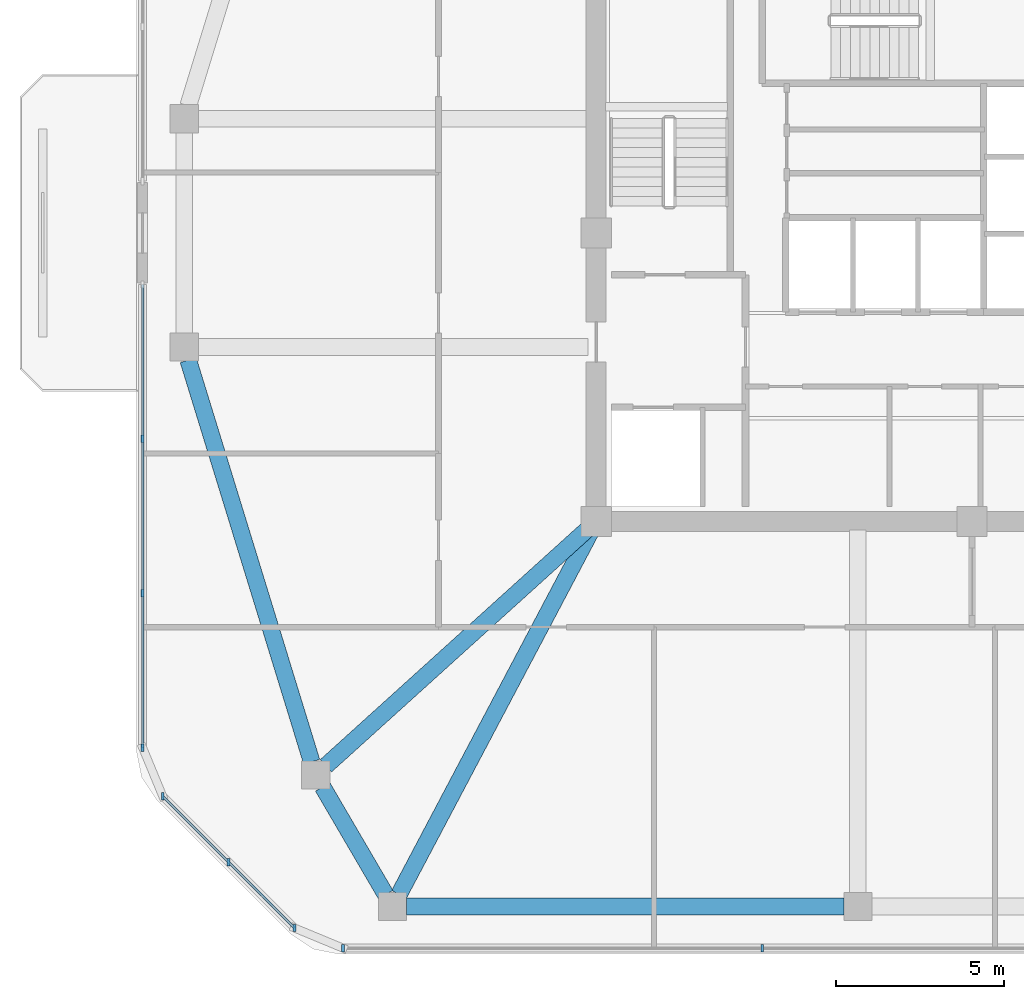
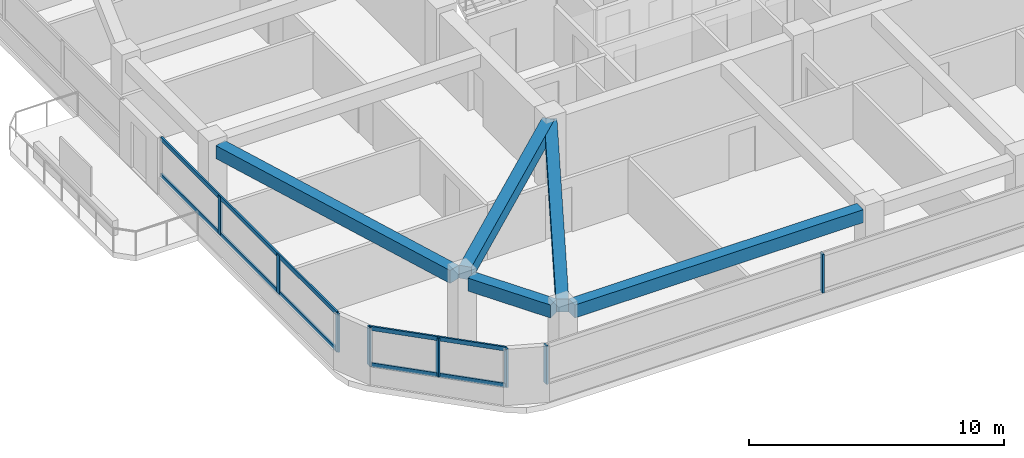
# One storey, part 2 of 14: 12 members, 5 beams, 3 elements without a shape of their own.
"""IFC4 building model written with IfcOpenShell, lengths in metres."""

from ifc_helpers import new_model, si_unit, derived_unit, direction, frame, origin, origin_2d, place, context, subcontext, project, spatial, rectangle, extrude, material, material_profile, profile_set, type_object, element, aggregate, save


model = new_model("IFC4")

# Units and contexts
model_context = context("Model", 3, precision=1e-05, world=origin(), true_north=direction((0.0, 1.0)))
body_context = subcontext(model_context, "Body", "Model", "MODEL_VIEW")
ifc_project = project(units=[si_unit("LENGTHUNIT", "METRE"), si_unit("AREAUNIT", "SQUARE_METRE"), si_unit("VOLUMEUNIT", "CUBIC_METRE"), si_unit("PLANEANGLEUNIT", "RADIAN"), si_unit("MASSUNIT", "GRAM", prefix="KILO"), derived_unit("THERMALTRANSMITTANCEUNIT", [(si_unit("POWERUNIT", "WATT"), 1), (si_unit("LENGTHUNIT", "METRE"), -2), (si_unit("THERMODYNAMICTEMPERATUREUNIT", "KELVIN"), -1)])], contexts=[model_context])

# Site, building, storey
site_placement = place(None, origin())
site = spatial("IfcSite", under=ifc_project, at=site_placement, CompositionType="ELEMENT")
building_placement = place(site_placement, origin())
building = spatial("IfcBuilding", under=site, at=building_placement, Name="Koralith Skygarden Medical Center", CompositionType="ELEMENT")
storey_placement = place(building_placement, frame((0.0, 0.0, 242.820068359375)))
storey = spatial("IfcBuildingStorey", under=building, at=storey_placement, Name="L62", CompositionType="ELEMENT", Elevation=242.820068359375)

# Curtain wall, members
ifc_material_1 = material(Name="Clear Laminated Glass", Category="glass")
curtain_wall_type = type_object("IfcCurtainWallType", Name="CW-6 Zone 5 Upper Clinical Curtain Wall", PredefinedType="NOTDEFINED", material=ifc_material_1)
curtain_wall_1_placement = place(storey_placement, origin())
curtain_wall_1 = element("IfcCurtainWall", 1, at=curtain_wall_1_placement, inside=storey, type_object=curtain_wall_type, Name="Curtain Wall CW-L62-S", PredefinedType="NOTDEFINED")
ifc_material_2 = material(Name="Aluminium 6063-T6", Category="aluminium")
ifc_material_profile_1 = material_profile(ifc_material_2, rectangle(XDim=0.0830078125, YDim=0.219970703125, at=origin_2d()), Name="MUL83X220")
ifc_profile_set_1 = profile_set([ifc_material_profile_1], Name="Aluminium 6063-T6")
member_type_1 = type_object("IfcMemberType", Name="CW-6 Extruded Mullion 83x220", PredefinedType="MULLION", material=ifc_profile_set_1)
member_1_placement = place(storey_placement, frame((18.2548828125, 4.580078125, 0.849853515625), z_axis=(0.0, 0.0, 1.0), x_axis=(1.0, 0.0, 0.0)))
member_1 = element("IfcMember", 2, at=member_1_placement, type_object=member_type_1, Name="CW-L62-S Mullion 1", PredefinedType="MULLION", context=body_context, shape_type="SweptSolid", body=[
    extrude(rectangle(XDim=0.0830078125, YDim=0.219970703125, at=origin_2d()), origin(), (0.0, 0.0, 1.0), 1.840087890625),
])
member_2_placement = place(storey_placement, frame((30.751953125, 4.580078125, 0.849853515625), z_axis=(0.0, 0.0, 1.0), x_axis=(1.0, 0.0, 0.0)))
member_2 = element("IfcMember", 3, at=member_2_placement, type_object=member_type_1, Name="CW-L62-S Mullion 2", PredefinedType="MULLION", context=body_context, shape_type="SweptSolid", body=[
    extrude(rectangle(XDim=0.0830078125, YDim=0.219970703125, at=origin_2d()), origin(), (0.0, 0.0, 1.0), 1.840087890625),
])
aggregate(curtain_wall_1, [member_1, member_2])

curtain_wall_2_placement = place(storey_placement, origin())
curtain_wall_2 = element("IfcCurtainWall", 4, at=curtain_wall_2_placement, inside=storey, type_object=curtain_wall_type, Name="Curtain Wall CW-L62-W-R", PredefinedType="NOTDEFINED")
member_3_placement = place(storey_placement, frame((12.280029296875, 19.758056640625, 0.849853515625), z_axis=(0.0, 0.0, 1.0), x_axis=(1.0, 0.0, 0.0)))
member_3 = element("IfcMember", 5, at=member_3_placement, type_object=member_type_1, Name="CW-L62-W-R Mullion 2", PredefinedType="MULLION", context=body_context, shape_type="SweptSolid", body=[
    extrude(rectangle(XDim=0.0830078125, YDim=0.219970703125, at=origin_2d()), origin(), (0.0, 0.0, 1.0), 1.840087890625),
])
member_4_placement = place(storey_placement, frame((12.280029296875, 15.156982421875, 0.849853515625), z_axis=(0.0, 0.0, 1.0), x_axis=(1.0, 0.0, 0.0)))
member_4 = element("IfcMember", 6, at=member_4_placement, type_object=member_type_1, Name="CW-L62-W-R Mullion 3", PredefinedType="MULLION", context=body_context, shape_type="SweptSolid", body=[
    extrude(rectangle(XDim=0.0830078125, YDim=0.219970703125, at=origin_2d()), origin(), (0.0, 0.0, 1.0), 1.840087890625),
])
member_5_placement = place(storey_placement, frame((12.280029296875, 10.554931640625, 0.849853515625), z_axis=(0.0, 0.0, 1.0), x_axis=(1.0, 0.0, 0.0)))
member_5 = element("IfcMember", 7, at=member_5_placement, type_object=member_type_1, Name="CW-L62-W-R Mullion 4", PredefinedType="MULLION", context=body_context, shape_type="SweptSolid", body=[
    extrude(rectangle(XDim=0.0830078125, YDim=0.219970703125, at=origin_2d()), origin(), (0.0, 0.0, 1.0), 1.840087890625),
])

curtain_wall_3_placement = place(storey_placement, origin())
curtain_wall_3 = element("IfcCurtainWall", 8, at=curtain_wall_3_placement, inside=storey, type_object=curtain_wall_type, Name="Curtain Wall CW-L62-SW", PredefinedType="NOTDEFINED")
member_6_placement = place(storey_placement, frame((12.881103515625, 9.10400390625, 0.849853515625), z_axis=(0.0, 0.0, 1.0), x_axis=(1.0, 0.0, 0.0)))
member_6 = element("IfcMember", 9, at=member_6_placement, type_object=member_type_1, Name="CW-L62-SW Mullion 1", PredefinedType="MULLION", context=body_context, shape_type="SweptSolid", body=[
    extrude(rectangle(XDim=0.0830078125, YDim=0.219970703125, at=origin_2d()), origin(), (0.0, 0.0, 1.0), 1.840087890625),
])
member_7_placement = place(storey_placement, frame((14.842041015625, 7.14306640625, 0.849853515625), z_axis=(0.0, 0.0, 1.0), x_axis=(1.0, 0.0, 0.0)))
member_7 = element("IfcMember", 10, at=member_7_placement, type_object=member_type_1, Name="CW-L62-SW Mullion 2", PredefinedType="MULLION", context=body_context, shape_type="SweptSolid", body=[
    extrude(rectangle(XDim=0.0830078125, YDim=0.219970703125, at=origin_2d()), origin(), (0.0, 0.0, 1.0), 1.840087890625),
])
member_8_placement = place(storey_placement, frame((16.803955078125, 5.180908203125, 0.849853515625), z_axis=(0.0, 0.0, 1.0), x_axis=(1.0, 0.0, 0.0)))
member_8 = element("IfcMember", 11, at=member_8_placement, type_object=member_type_1, Name="CW-L62-SW Mullion 3", PredefinedType="MULLION", context=body_context, shape_type="SweptSolid", body=[
    extrude(rectangle(XDim=0.0830078125, YDim=0.219970703125, at=origin_2d()), origin(), (0.0, 0.0, 1.0), 1.840087890625),
])

# Member
ifc_material_profile_2 = material_profile(ifc_material_2, rectangle(XDim=0.077880859375, YDim=0.197998046875, at=origin_2d()), Name="TRN78X198")
ifc_profile_set_2 = profile_set([ifc_material_profile_2], Name="Aluminium 6063-T6")
member_type_2 = type_object("IfcMemberType", Name="CW-6 Thermal Transom 78x198", PredefinedType="USERDEFINED", material=ifc_profile_set_2)
member_9_placement = place(storey_placement, frame((12.280029296875, 24.360107421875, 0.89990234375), z_axis=(0.0, -1.0, 0.0), x_axis=(1.0, 0.0, 0.0)))
member_9 = element("IfcMember", 12, at=member_9_placement, type_object=member_type_2, Name="CW-L62-W-R Transom 1", ObjectType="TRANSOM", PredefinedType="USERDEFINED", context=body_context, shape_type="SweptSolid", body=[
    extrude(rectangle(XDim=0.077880859375, YDim=0.197998046875, at=origin_2d()), origin(), (0.0, 0.0, 1.0), 13.80517578125),
])

member_10_placement = place(storey_placement, frame((12.280029296875, 24.360107421875, 2.639892578125), z_axis=(0.0, -1.0, 0.0), x_axis=(1.0, 0.0, 0.0)))
member_10 = element("IfcMember", 13, at=member_10_placement, type_object=member_type_2, Name="CW-L62-W-R Transom 2", ObjectType="TRANSOM", PredefinedType="USERDEFINED", context=body_context, shape_type="SweptSolid", body=[
    extrude(rectangle(XDim=0.077880859375, YDim=0.197998046875, at=origin_2d()), origin(), (0.0, 0.0, 1.0), 13.80517578125),
])

aggregate(curtain_wall_2, [member_3, member_4, member_5, member_9, member_10])

member_11_placement = place(storey_placement, frame((12.881103515625, 9.10400390625, 0.89990234375), z_axis=(0.707084777957, -0.707128783731, 0.0), x_axis=(0.707128783731, 0.707084777957, 0.0)))
member_11 = element("IfcMember", 14, at=member_11_placement, type_object=member_type_2, Name="CW-L62-SW Transom 1", ObjectType="TRANSOM", PredefinedType="USERDEFINED", context=body_context, shape_type="SweptSolid", body=[
    extrude(rectangle(XDim=0.077880859375, YDim=0.197998046875, at=origin_2d()), origin(), (0.0, 0.0, 1.0), 5.5478515625),
])

member_12_placement = place(storey_placement, frame((12.881103515625, 9.10400390625, 2.639892578125), z_axis=(0.707084777957, -0.707128783731, 0.0), x_axis=(0.707128783731, 0.707084777957, 0.0)))
member_12 = element("IfcMember", 15, at=member_12_placement, type_object=member_type_2, Name="CW-L62-SW Transom 2", ObjectType="TRANSOM", PredefinedType="USERDEFINED", context=body_context, shape_type="SweptSolid", body=[
    extrude(rectangle(XDim=0.077880859375, YDim=0.197998046875, at=origin_2d()), origin(), (0.0, 0.0, 1.0), 5.5478515625),
])

aggregate(curtain_wall_3, [member_6, member_7, member_8, member_11, member_12])

# Beams
ifc_material_3 = material(Name="Concrete C45/55", Category="concrete")
ifc_material_profile_3 = material_profile(ifc_material_3, rectangle(XDim=0.5, YDim=0.6201171875, at=origin_2d()), Name="RCB500X620")
ifc_profile_set_3 = profile_set([ifc_material_profile_3], Name="Concrete C45/55")
beam_type_1 = type_object("IfcBeamType", Name="Upper Radial Collector Beam RCB500X620", PredefinedType="BEAM", material=ifc_profile_set_3)
beam_1_placement = place(storey_placement, frame((25.614990234375, 17.132080078125, 3.010009765625), z_axis=(-0.741736323186, -0.670691603397, 0.0), x_axis=(0.670691603397, -0.741736323186, 0.0)))
element("IfcBeam", 16, at=beam_1_placement, inside=storey, type_object=beam_type_1, Name="L62 Radial Collector Beam RB-02", PredefinedType="BEAM", context=body_context, shape_type="SweptSolid", body=[
    extrude(rectangle(XDim=0.5, YDim=0.6201171875, at=origin_2d()), origin(), (0.0, 0.0, 1.0), 10.61181640625),
])
beam_2_placement = place(storey_placement, frame((25.68310546875, 17.0791015625, 3.010009765625), z_axis=(-0.46724871287, -0.884125918816, 0.0), x_axis=(0.884125918816, -0.46724871287, 0.0)))
element("IfcBeam", 17, at=beam_2_placement, inside=storey, type_object=beam_type_1, Name="L62 Radial Collector Beam RB-03", PredefinedType="BEAM", context=body_context, shape_type="SweptSolid", body=[
    extrude(rectangle(XDim=0.5, YDim=0.6201171875, at=origin_2d()), origin(), (0.0, 0.0, 1.0), 12.325439453125),
])
ifc_material_profile_4 = material_profile(ifc_material_3, rectangle(XDim=0.5, YDim=0.6201171875, at=origin_2d()), Name="RCB500X620")
ifc_profile_set_4 = profile_set([ifc_material_profile_4], Name="Concrete C45/55")
beam_type_2 = type_object("IfcBeamType", Name="Zone 4-5 Spandrel Beam RCB500X620", PredefinedType="SPANDREL", material=ifc_profile_set_4)
beam_3_placement = place(storey_placement, frame((13.639892578125, 22.10791015625, 3.010009765625), z_axis=(0.293743494914, -0.955884281279, 0.0), x_axis=(0.955884281279, 0.293743494914, 0.0)))
element("IfcBeam", 18, at=beam_3_placement, inside=storey, type_object=beam_type_2, Name="L62 Perimeter Spandrel Beam SP-01", PredefinedType="SPANDREL", context=body_context, shape_type="SweptSolid", body=[
    extrude(rectangle(XDim=0.5, YDim=0.6201171875, at=origin_2d()), origin(), (0.0, 0.0, 1.0), 12.528564453125),
])
beam_4_placement = place(storey_placement, frame((17.64697265625, 9.385986328125, 3.010009765625), z_axis=(0.50473571007, -0.863273921175, 0.0), x_axis=(0.863273921175, 0.50473571007, 0.0)))
element("IfcBeam", 19, at=beam_4_placement, inside=storey, type_object=beam_type_2, Name="L62 Perimeter Spandrel Beam SP-02", PredefinedType="SPANDREL", context=body_context, shape_type="SweptSolid", body=[
    extrude(rectangle(XDim=0.5, YDim=0.6201171875, at=origin_2d()), origin(), (0.0, 0.0, 1.0), 3.720703125),
])
beam_5_placement = place(storey_placement, frame((20.14208984375, 5.820068359375, 3.010009765625), z_axis=(1.0, 0.0, 0.0), x_axis=(0.0, 1.0, 0.0)))
element("IfcBeam", 20, at=beam_5_placement, inside=storey, type_object=beam_type_2, Name="L62 Perimeter Spandrel Beam SP-03", PredefinedType="SPANDREL", context=body_context, shape_type="SweptSolid", body=[
    extrude(rectangle(XDim=0.5, YDim=0.6201171875, at=origin_2d()), origin(), (0.0, 0.0, 1.0), 13.0478515625),
])

save(model, "model.ifc")
